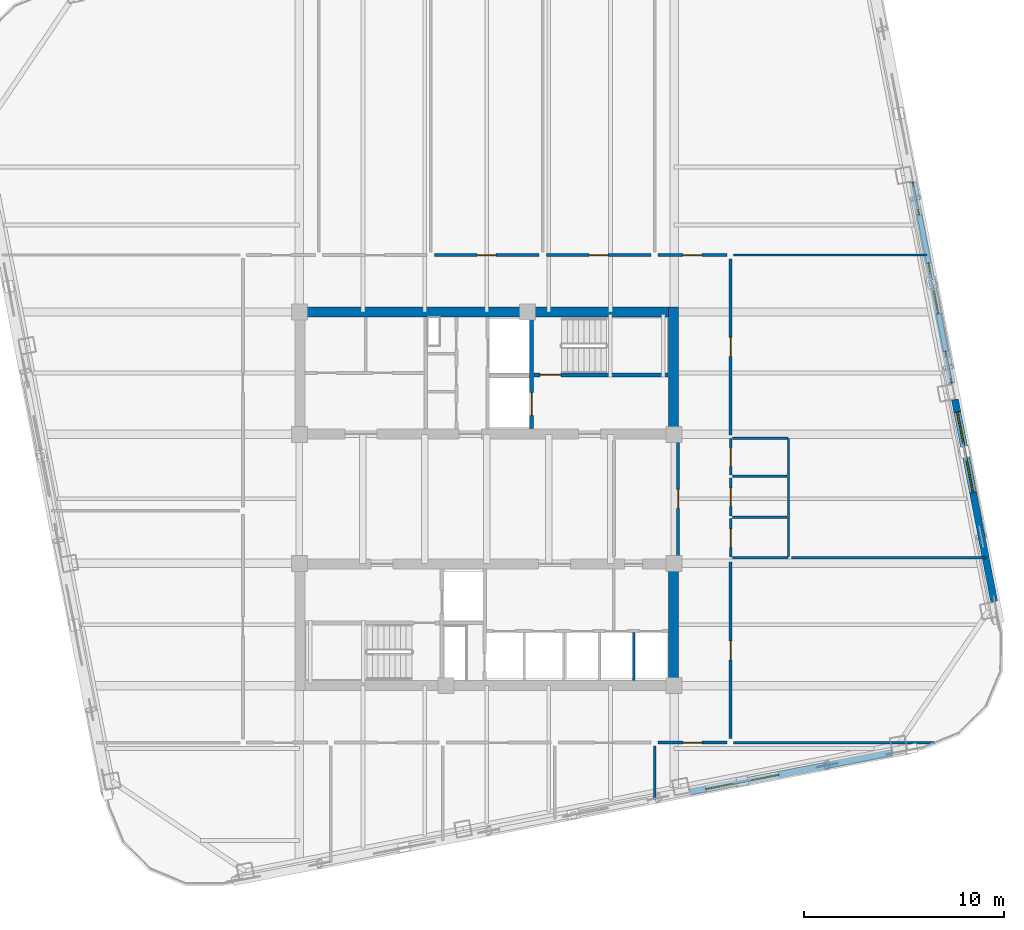
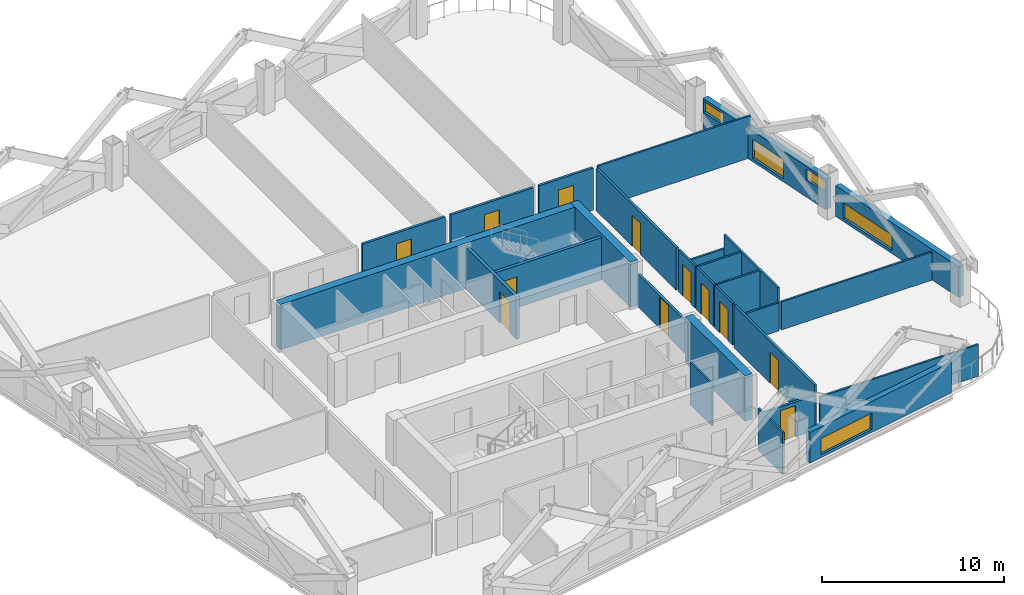
# One storey, part 6 of 10: 28 walls, 12 doors, 5 windows, 17 openings.
"""IFC4 building model written with IfcOpenShell, lengths in metres."""

from ifc_helpers import new_model, si_unit, direction, frame, frame_2d, origin, place, context, subcontext, project, spatial, rectangle, extrude, material, layer, layer_set, type_object, element, fill, save


model = new_model("IFC4")

# Units and contexts
model_context = context("Model", 3, precision=1e-05, world=origin(), true_north=direction((0.0, 1.0)))
body_context = subcontext(model_context, "Body", "Model", "MODEL_VIEW")
ifc_project = project(units=[si_unit("LENGTHUNIT", "METRE"), si_unit("AREAUNIT", "SQUARE_METRE"), si_unit("VOLUMEUNIT", "CUBIC_METRE"), si_unit("PLANEANGLEUNIT", "RADIAN"), si_unit("MASSUNIT", "GRAM", prefix="KILO")], contexts=[model_context])

# Site, building, storey
site_placement = place(None, origin())
site = spatial("IfcSite", under=ifc_project, at=site_placement, CompositionType="ELEMENT")
building_placement = place(site_placement, origin())
building = spatial("IfcBuilding", under=site, at=building_placement, Name="Qhalaya Broadcast Tower", CompositionType="ELEMENT")
storey_placement = place(building_placement, frame((0.0, 0.0, 125.0)))
storey = spatial("IfcBuildingStorey", under=building, at=storey_placement, Name="L36", CompositionType="ELEMENT", Elevation=125.0)

# Wall, opening, door
ifc_material_1 = material(Name="Gypsum Acoustic Partition")
ifc_layer_1 = layer(ifc_material_1, 0.14990234375, Name="Gypsum Acoustic Partition")
ifc_layer_set_1 = layer_set([ifc_layer_1], Name="Gypsum Acoustic Partition")
wall_type_1 = type_object("IfcWallType", Name="Corridor & Tenancy Acoustic Partition 150", PredefinedType="PARTITIONING", material=ifc_layer_set_1)
wall_1_placement = place(storey_placement, frame((9.580078125, -2.320068359375, 0.0), z_axis=(0.0, 0.0, 1.0), x_axis=(0.0, 1.0, 0.0)))
wall_1 = element("IfcWall", 1, at=wall_1_placement, inside=storey, type_object=wall_type_1, Name="L36 Partition Wall W-ICHE", PredefinedType="PARTITIONING", context=body_context, shape_type="SweptSolid", body=[
    extrude(rectangle(XDim=5.840087890625, YDim=0.14990234375, at=frame_2d((2.919921875, 0.0))), origin(), (0.0, 0.0, 1.0), 2.197998046875),
])
opening_1_placement = place(wall_1_placement, frame((2.445068359375, 0.0, 0.0)))
opening_1 = element("IfcOpeningElement", 2, at=opening_1_placement, cuts=wall_1, Name="Opening D10", PredefinedType="OPENING", context=body_context, shape_type="SweptSolid", body=[
    extrude(rectangle(XDim=0.949951171875, YDim=2.10009765625, at=frame_2d((0.47509765625, 1.050048828125))), frame((0.0, 0.0869140625, 0.0), z_axis=(0.0, -1.0, 0.0), x_axis=(1.0, 0.0, 0.0)), (0.0, 0.0, 1.0), 0.173828125),
])
ifc_material_2 = material(Name="Timber Veneer Acoustic Door", Category="wood")
door_type_1 = type_object("IfcDoorType", Name="Cellular Office & Edit Booth Door D10", OperationType="NOTDEFINED", PredefinedType="DOOR", material=ifc_material_2)
door_1_placement = place(opening_1_placement, origin())
door_1 = element("IfcDoor", 3, at=door_1_placement, inside=storey, type_object=door_type_1, Name="L36 Door D-ICHE", OperationType="SINGLE_SWING_RIGHT", OverallHeight=2.10009765625, OverallWidth=0.949951171875, PredefinedType="DOOR", context=body_context, shape_type="SweptSolid", body=[
    extrude(rectangle(XDim=0.949951171875, YDim=2.10009765625, at=frame_2d((0.47509765625, 1.050048828125))), frame((0.0, 0.02490234375, 0.0), z_axis=(0.0, -1.0, 0.0), x_axis=(1.0, 0.0, 0.0)), (0.0, 0.0, 1.0), 0.050048828125),
])
fill(opening_1, door_1)

wall_2_placement = place(storey_placement, frame((-2.6201171875, 12.800048828125, 0.0), z_axis=(0.0, 0.0, 1.0), x_axis=(1.0, 0.0, 0.0)))
wall_2 = element("IfcWall", 4, at=wall_2_placement, inside=storey, type_object=wall_type_1, Name="L36 Partition Wall W-COR-03", PredefinedType="PARTITIONING", context=body_context, shape_type="SweptSolid", body=[
    extrude(rectangle(XDim=5.240234375, YDim=0.14990234375, at=frame_2d((2.6201171875, 0.0))), origin(), (0.0, 0.0, 1.0), 2.830078125),
])
opening_2_placement = place(wall_2_placement, frame((2.14501953125, 0.0, 0.0)))
opening_2 = element("IfcOpeningElement", 5, at=opening_2_placement, cuts=wall_2, Name="Opening D10", PredefinedType="OPENING", context=body_context, shape_type="SweptSolid", body=[
    extrude(rectangle(XDim=0.949951171875, YDim=2.10009765625, at=frame_2d((0.47509765625, 1.050048828125))), frame((0.0, 0.0869140625, 0.0), z_axis=(0.0, -1.0, 0.0), x_axis=(1.0, 0.0, 0.0)), (0.0, 0.0, 1.0), 0.173828125),
])
door_2_placement = place(opening_2_placement, origin())
door_2 = element("IfcDoor", 6, at=door_2_placement, inside=storey, type_object=door_type_1, Name="L36 Door D-RM03", OperationType="SINGLE_SWING_RIGHT", OverallHeight=2.10009765625, OverallWidth=0.949951171875, PredefinedType="DOOR", context=body_context, shape_type="SweptSolid", body=[
    extrude(rectangle(XDim=0.949951171875, YDim=2.10009765625, at=frame_2d((0.47509765625, 1.050048828125))), frame((0.0, 0.02490234375, 0.0), z_axis=(0.0, -1.0, 0.0), x_axis=(1.0, 0.0, 0.0)), (0.0, 0.0, 1.0), 0.050048828125),
])
fill(opening_2, door_2)

wall_3_placement = place(storey_placement, frame((2.97998046875, 12.800048828125, 0.0), z_axis=(0.0, 0.0, 1.0), x_axis=(1.0, 0.0, 0.0)))
wall_3 = element("IfcWall", 7, at=wall_3_placement, inside=storey, type_object=wall_type_1, Name="L36 Partition Wall W-COR-04", PredefinedType="PARTITIONING", context=body_context, shape_type="SweptSolid", body=[
    extrude(rectangle(XDim=5.239990234375, YDim=0.14990234375, at=frame_2d((2.6201171875, 0.0))), origin(), (0.0, 0.0, 1.0), 2.830078125),
])
opening_3_placement = place(wall_3_placement, frame((2.14501953125, 0.0, 0.0)))
opening_3 = element("IfcOpeningElement", 8, at=opening_3_placement, cuts=wall_3, Name="Opening D10", PredefinedType="OPENING", context=body_context, shape_type="SweptSolid", body=[
    extrude(rectangle(XDim=0.949951171875, YDim=2.10009765625, at=frame_2d((0.47509765625, 1.050048828125))), frame((0.0, 0.0869140625, 0.0), z_axis=(0.0, -1.0, 0.0), x_axis=(1.0, 0.0, 0.0)), (0.0, 0.0, 1.0), 0.173828125),
])
door_3_placement = place(opening_3_placement, origin())
door_3 = element("IfcDoor", 9, at=door_3_placement, inside=storey, type_object=door_type_1, Name="L36 Door D-RM04", OperationType="SINGLE_SWING_LEFT", OverallHeight=2.10009765625, OverallWidth=0.949951171875, PredefinedType="DOOR", context=body_context, shape_type="SweptSolid", body=[
    extrude(rectangle(XDim=0.949951171875, YDim=2.10009765625, at=frame_2d((0.47509765625, 1.050048828125))), frame((0.0, 0.02490234375, 0.0), z_axis=(0.0, -1.0, 0.0), x_axis=(1.0, 0.0, 0.0)), (0.0, 0.0, 1.0), 0.050048828125),
])
fill(opening_3, door_3)

wall_4_placement = place(storey_placement, frame((8.580078125, 12.800048828125, 0.0), z_axis=(0.0, 0.0, 1.0), x_axis=(1.0, 0.0, 0.0)))
wall_4 = element("IfcWall", 10, at=wall_4_placement, inside=storey, type_object=wall_type_1, Name="L36 Partition Wall W-COR-05", PredefinedType="PARTITIONING", context=body_context, shape_type="SweptSolid", body=[
    extrude(rectangle(XDim=3.43994140625, YDim=0.14990234375, at=frame_2d((1.719970703125, 0.0))), origin(), (0.0, 0.0, 1.0), 2.830078125),
])
opening_4_placement = place(wall_4_placement, frame((1.2451171875, 0.0, 0.0)))
opening_4 = element("IfcOpeningElement", 11, at=opening_4_placement, cuts=wall_4, Name="Opening D10", PredefinedType="OPENING", context=body_context, shape_type="SweptSolid", body=[
    extrude(rectangle(XDim=0.949951171875, YDim=2.10009765625, at=frame_2d((0.47509765625, 1.050048828125))), frame((0.0, 0.0869140625, 0.0), z_axis=(0.0, -1.0, 0.0), x_axis=(1.0, 0.0, 0.0)), (0.0, 0.0, 1.0), 0.173828125),
])
door_4_placement = place(opening_4_placement, origin())
door_4 = element("IfcDoor", 12, at=door_4_placement, inside=storey, type_object=door_type_1, Name="L36 Door D-RM05", OperationType="SINGLE_SWING_RIGHT", OverallHeight=2.10009765625, OverallWidth=0.949951171875, PredefinedType="DOOR", context=body_context, shape_type="SweptSolid", body=[
    extrude(rectangle(XDim=0.949951171875, YDim=2.10009765625, at=frame_2d((0.47509765625, 1.050048828125))), frame((0.0, 0.02490234375, 0.0), z_axis=(0.0, -1.0, 0.0), x_axis=(1.0, 0.0, 0.0)), (0.0, 0.0, 1.0), 0.050048828125),
])
fill(opening_4, door_4)

wall_5_placement = place(storey_placement, frame((8.580078125, -11.60009765625, 0.0), z_axis=(0.0, 0.0, 1.0), x_axis=(1.0, 0.0, 0.0)))
wall_5 = element("IfcWall", 13, at=wall_5_placement, inside=storey, type_object=wall_type_1, Name="L36 Partition Wall W-COR-10", PredefinedType="PARTITIONING", context=body_context, shape_type="SweptSolid", body=[
    extrude(rectangle(XDim=3.43994140625, YDim=0.14990234375, at=frame_2d((1.719970703125, 0.0))), origin(), (0.0, 0.0, 1.0), 2.346923828125),
])
opening_5_placement = place(wall_5_placement, frame((1.2451171875, 0.0, 0.0)))
opening_5 = element("IfcOpeningElement", 14, at=opening_5_placement, cuts=wall_5, Name="Opening D10", PredefinedType="OPENING", context=body_context, shape_type="SweptSolid", body=[
    extrude(rectangle(XDim=0.949951171875, YDim=2.10009765625, at=frame_2d((0.47509765625, 1.050048828125))), frame((0.0, 0.0869140625, 0.0), z_axis=(0.0, -1.0, 0.0), x_axis=(1.0, 0.0, 0.0)), (0.0, 0.0, 1.0), 0.173828125),
])
door_5_placement = place(opening_5_placement, origin())
door_5 = element("IfcDoor", 15, at=door_5_placement, inside=storey, type_object=door_type_1, Name="L36 Door D-RM10", OperationType="SINGLE_SWING_LEFT", OverallHeight=2.10009765625, OverallWidth=0.949951171875, PredefinedType="DOOR", context=body_context, shape_type="SweptSolid", body=[
    extrude(rectangle(XDim=0.949951171875, YDim=2.10009765625, at=frame_2d((0.47509765625, 1.050048828125))), frame((0.0, 0.02490234375, 0.0), z_axis=(0.0, -1.0, 0.0), x_axis=(1.0, 0.0, 0.0)), (0.0, 0.0, 1.0), 0.050048828125),
])
fill(opening_5, door_5)

wall_6_placement = place(storey_placement, frame((12.199951171875, -11.39990234375, 0.0), z_axis=(0.0, 0.0, 1.0), x_axis=(0.0, 1.0, 0.0)))
wall_6 = element("IfcWall", 16, at=wall_6_placement, inside=storey, type_object=wall_type_1, Name="L36 Partition Wall W-COR-13", PredefinedType="PARTITIONING", context=body_context, shape_type="SweptSolid", body=[
    extrude(rectangle(XDim=8.83984375, YDim=0.14990234375, at=frame_2d((4.419921875, 0.0))), origin(), (0.0, 0.0, 1.0), 2.830078125),
])
opening_6_placement = place(wall_6_placement, frame((3.945068359375, 0.0, 0.0)))
opening_6 = element("IfcOpeningElement", 17, at=opening_6_placement, cuts=wall_6, Name="Opening D10", PredefinedType="OPENING", context=body_context, shape_type="SweptSolid", body=[
    extrude(rectangle(XDim=0.949951171875, YDim=2.10009765625, at=frame_2d((0.47509765625, 1.050048828125))), frame((0.0, 0.0869140625, 0.0), z_axis=(0.0, -1.0, 0.0), x_axis=(1.0, 0.0, 0.0)), (0.0, 0.0, 1.0), 0.173828125),
])
door_6_placement = place(opening_6_placement, origin())
door_6 = element("IfcDoor", 18, at=door_6_placement, inside=storey, type_object=door_type_1, Name="L36 Door D-RM13", OperationType="SINGLE_SWING_RIGHT", OverallHeight=2.10009765625, OverallWidth=0.949951171875, PredefinedType="DOOR", context=body_context, shape_type="SweptSolid", body=[
    extrude(rectangle(XDim=0.949951171875, YDim=2.10009765625, at=frame_2d((0.47509765625, 1.050048828125))), frame((0.0, 0.02490234375, 0.0), z_axis=(0.0, -1.0, 0.0), x_axis=(1.0, 0.0, 0.0)), (0.0, 0.0, 1.0), 0.050048828125),
])
fill(opening_6, door_6)

wall_7_placement = place(storey_placement, frame((12.199951171875, 3.800048828125, 0.0), z_axis=(0.0, 0.0, 1.0), x_axis=(0.0, 1.0, 0.0)))
wall_7 = element("IfcWall", 19, at=wall_7_placement, inside=storey, type_object=wall_type_1, Name="L36 Partition Wall W-COR-14", PredefinedType="PARTITIONING", context=body_context, shape_type="SweptSolid", body=[
    extrude(rectangle(XDim=8.800048828125, YDim=0.14990234375, at=frame_2d((4.39990234375, 0.0))), origin(), (0.0, 0.0, 1.0), 2.830078125),
])
opening_7_placement = place(wall_7_placement, frame((3.925048828125, 0.0, 0.0)))
opening_7 = element("IfcOpeningElement", 20, at=opening_7_placement, cuts=wall_7, Name="Opening D10", PredefinedType="OPENING", context=body_context, shape_type="SweptSolid", body=[
    extrude(rectangle(XDim=0.949951171875, YDim=2.10009765625, at=frame_2d((0.47509765625, 1.050048828125))), frame((0.0, 0.0869140625, 0.0), z_axis=(0.0, -1.0, 0.0), x_axis=(1.0, 0.0, 0.0)), (0.0, 0.0, 1.0), 0.173828125),
])
door_7_placement = place(opening_7_placement, origin())
door_7 = element("IfcDoor", 21, at=door_7_placement, inside=storey, type_object=door_type_1, Name="L36 Door D-RM14", OperationType="SINGLE_SWING_LEFT", OverallHeight=2.10009765625, OverallWidth=0.949951171875, PredefinedType="DOOR", context=body_context, shape_type="SweptSolid", body=[
    extrude(rectangle(XDim=0.949951171875, YDim=2.10009765625, at=frame_2d((0.47509765625, 1.050048828125))), frame((0.0, 0.02490234375, 0.0), z_axis=(0.0, -1.0, 0.0), x_axis=(1.0, 0.0, 0.0)), (0.0, 0.0, 1.0), 0.050048828125),
])
fill(opening_7, door_7)

# Wall, opening, window
ifc_material_3 = material(Name="Precast Concrete C40/50", Category="concrete")
ifc_layer_2 = layer(ifc_material_3, 0.360107421875, Name="Precast Concrete C40/50")
ifc_layer_set_2 = layer_set([ifc_layer_2], Name="Precast Concrete C40/50")
wall_type_2 = type_object("IfcWallType", Name="Insulated Precast Terracotta Exterior Wall 360", PredefinedType="SOLIDWALL", material=ifc_layer_set_2)
wall_8_placement = place(storey_placement, frame((20.29638671875, -12.10986328125, 0.0), z_axis=(0.0, 0.0, 1.0), x_axis=(-0.981628941133, -0.190799952646, 0.0)))
wall_8 = element("IfcWall", 22, at=wall_8_placement, inside=storey, type_object=wall_type_2, Name="L36 Exoskeleton Diagrid Infill Wall S1", PredefinedType="SOLIDWALL", context=body_context, shape_type="SweptSolid", body=[
    extrude(rectangle(XDim=10.31201171875, YDim=0.360107421875, at=frame_2d((5.156005859375, 0.0))), origin(), (0.0, 0.0, 1.0), 2.06689453125),
])
opening_8_placement = place(wall_8_placement, frame((5.800048828125, 0.0, 0.199951171875)))
opening_8 = element("IfcOpeningElement", 23, at=opening_8_placement, cuts=wall_8, Name="Opening W11", PredefinedType="OPENING", context=body_context, shape_type="SweptSolid", body=[
    extrude(rectangle(XDim=3.699951171875, YDim=1.10009765625, at=frame_2d((1.85009765625, 0.550048828125))), frame((0.0, 0.192138671875, 0.0), z_axis=(0.0, -1.0, 0.0), x_axis=(1.0, 0.0, 0.0)), (0.0, 0.0, 1.0), 0.384033203125),
])
ifc_material_4 = material(Name="Solar-Control Low-E Triple Glazing", Category="glass")
window_type = type_object("IfcWindowType", Name="Odd-Block Diagrid Infill Window W11", PartitioningType="SINGLE_PANEL", PredefinedType="WINDOW", material=ifc_material_4)
window_1_placement = place(opening_8_placement, origin())
window_1 = element("IfcWindow", 24, at=window_1_placement, inside=storey, type_object=window_type, Name="L36 Diagrid Infill Window W11-S1", OverallHeight=1.10009765625, OverallWidth=3.699951171875, PartitioningType="SINGLE_PANEL", PredefinedType="WINDOW", context=body_context, shape_type="SweptSolid", body=[
    extrude(rectangle(XDim=3.699951171875, YDim=1.10009765625, at=frame_2d((1.85009765625, 0.550048828125))), frame((0.0, 0.030029296875, 0.0), z_axis=(0.0, -1.0, 0.0), x_axis=(1.0, 0.0, 0.0)), (0.0, 0.0, 1.0), 0.06005859375),
])
fill(opening_8, window_1)

# Wall, openings, windows
wall_9_placement = place(storey_placement, frame((21.31005859375, 16.468505859375, 0.0), z_axis=(0.0, 0.0, 1.0), x_axis=(0.190811924826, -0.981626614016, 0.0)))
wall_9 = element("IfcWall", 25, at=wall_9_placement, inside=storey, type_object=wall_type_2, Name="L36 Exoskeleton Diagrid Infill Wall E2", PredefinedType="SOLIDWALL", context=body_context, shape_type="SweptSolid", body=[
    extrude(rectangle(XDim=10.2998046875, YDim=0.360107421875, at=frame_2d((5.14990234375, 0.0))), origin(), (0.0, 0.0, 1.0), 2.06689453125),
])
opening_9_placement = place(wall_9_placement, frame((0.0380859375, 0.0, 1.14990234375)))
opening_9 = element("IfcOpeningElement", 26, at=opening_9_placement, cuts=wall_9, Name="Opening W11", PredefinedType="OPENING", context=body_context, shape_type="SweptSolid", body=[
    extrude(rectangle(XDim=1.64990234375, YDim=0.75, at=frame_2d((0.824951171875, 0.375))), frame((0.0, 0.192138671875, 0.0), z_axis=(0.0, -1.0, 0.0), x_axis=(1.0, 0.0, 0.0)), (0.0, 0.0, 1.0), 0.384033203125),
])
opening_10_placement = place(wall_9_placement, frame((4.137939453125, 0.0, 0.199951171875)))
opening_10 = element("IfcOpeningElement", 27, at=opening_10_placement, cuts=wall_9, Name="Opening W11", PredefinedType="OPENING", context=body_context, shape_type="SweptSolid", body=[
    extrude(rectangle(XDim=2.60009765625, YDim=1.300048828125, at=frame_2d((1.300048828125, 0.64990234375))), frame((0.0, 0.192138671875, 0.0), z_axis=(0.0, -1.0, 0.0), x_axis=(1.0, 0.0, 0.0)), (0.0, 0.0, 1.0), 0.384033203125),
])
opening_11_placement = place(wall_9_placement, frame((8.637939453125, 0.0, 1.14990234375)))
opening_11 = element("IfcOpeningElement", 28, at=opening_11_placement, cuts=wall_9, Name="Opening W11", PredefinedType="OPENING", context=body_context, shape_type="SweptSolid", body=[
    extrude(rectangle(XDim=1.60009765625, YDim=0.75, at=frame_2d((0.800048828125, 0.375))), frame((0.0, 0.192138671875, 0.0), z_axis=(0.0, -1.0, 0.0), x_axis=(1.0, 0.0, 0.0)), (0.0, 0.0, 1.0), 0.384033203125),
])
window_2_placement = place(opening_9_placement, origin())
window_2 = element("IfcWindow", 29, at=window_2_placement, inside=storey, type_object=window_type, Name="L36 Diagrid Infill Window W11-E2", OverallHeight=0.75, OverallWidth=1.64990234375, PartitioningType="SINGLE_PANEL", PredefinedType="WINDOW", context=body_context, shape_type="SweptSolid", body=[
    extrude(rectangle(XDim=1.64990234375, YDim=0.75, at=frame_2d((0.824951171875, 0.375))), frame((0.0, 0.030029296875, 0.0), z_axis=(0.0, -1.0, 0.0), x_axis=(1.0, 0.0, 0.0)), (0.0, 0.0, 1.0), 0.06005859375),
])
fill(opening_9, window_2)
window_3_placement = place(opening_10_placement, origin())
window_3 = element("IfcWindow", 30, at=window_3_placement, inside=storey, type_object=window_type, Name="L36 Diagrid Infill Window W11-E3", OverallHeight=1.300048828125, OverallWidth=2.60009765625, PartitioningType="SINGLE_PANEL", PredefinedType="WINDOW", context=body_context, shape_type="SweptSolid", body=[
    extrude(rectangle(XDim=2.60009765625, YDim=1.300048828125, at=frame_2d((1.300048828125, 0.64990234375))), frame((0.0, 0.030029296875, 0.0), z_axis=(0.0, -1.0, 0.0), x_axis=(1.0, 0.0, 0.0)), (0.0, 0.0, 1.0), 0.06005859375),
])
fill(opening_10, window_3)
window_4_placement = place(opening_11_placement, origin())
window_4 = element("IfcWindow", 31, at=window_4_placement, inside=storey, type_object=window_type, Name="L36 Diagrid Infill Window W11-E4", OverallHeight=0.75, OverallWidth=1.60009765625, PartitioningType="SINGLE_PANEL", PredefinedType="WINDOW", context=body_context, shape_type="SweptSolid", body=[
    extrude(rectangle(XDim=1.60009765625, YDim=0.75, at=frame_2d((0.800048828125, 0.375))), frame((0.0, 0.030029296875, 0.0), z_axis=(0.0, -1.0, 0.0), x_axis=(1.0, 0.0, 0.0)), (0.0, 0.0, 1.0), 0.06005859375),
])
fill(opening_11, window_4)

# Wall, opening, window
wall_10_placement = place(storey_placement, frame((23.427978515625, 5.572509765625, 0.0), z_axis=(0.0, 0.0, 1.0), x_axis=(0.190827200853, -0.981623644486, 0.0)))
wall_10 = element("IfcWall", 32, at=wall_10_placement, inside=storey, type_object=wall_type_2, Name="L36 Exoskeleton Diagrid Infill Wall E3", PredefinedType="SOLIDWALL", context=body_context, shape_type="SweptSolid", body=[
    extrude(rectangle(XDim=10.311767578125, YDim=0.360107421875, at=frame_2d((5.15576171875, 0.0))), origin(), (0.0, 0.0, 1.0), 2.06689453125),
])
opening_12_placement = place(wall_10_placement, frame((0.637939453125, 0.0, 0.199951171875)))
opening_12 = element("IfcOpeningElement", 33, at=opening_12_placement, cuts=wall_10, Name="Opening W11", PredefinedType="OPENING", context=body_context, shape_type="SweptSolid", body=[
    extrude(rectangle(XDim=4.10009765625, YDim=1.050048828125, at=frame_2d((2.050048828125, 0.52490234375))), frame((0.0, 0.192138671875, 0.0), z_axis=(0.0, -1.0, 0.0), x_axis=(1.0, 0.0, 0.0)), (0.0, 0.0, 1.0), 0.384033203125),
])
window_5_placement = place(opening_12_placement, origin())
window_5 = element("IfcWindow", 34, at=window_5_placement, inside=storey, type_object=window_type, Name="L36 Diagrid Infill Window W11-E5", OverallHeight=1.050048828125, OverallWidth=4.10009765625, PartitioningType="SINGLE_PANEL", PredefinedType="WINDOW", context=body_context, shape_type="SweptSolid", body=[
    extrude(rectangle(XDim=4.10009765625, YDim=1.050048828125, at=frame_2d((2.050048828125, 0.52490234375))), frame((0.0, 0.030029296875, 0.0), z_axis=(0.0, -1.0, 0.0), x_axis=(1.0, 0.0, 0.0)), (0.0, 0.0, 1.0), 0.06005859375),
])
fill(opening_12, window_5)

# Wall, opening, door
ifc_material_5 = material(Name="Concrete C50/60", Category="concrete")
ifc_layer_3 = layer(ifc_material_5, 0.199951171875, Name="Concrete C50/60")
ifc_layer_set_3 = layer_set([ifc_layer_3], Name="Concrete C50/60")
wall_type_3 = type_object("IfcWallType", Name="Load-Bearing Stair Shaft Wall 200", PredefinedType="SHEAR", material=ifc_layer_set_3)
wall_11_placement = place(storey_placement, frame((2.360107421875, 6.804931640625, 0.0), z_axis=(0.0, 0.0, 1.0), x_axis=(1.0, 0.0, 0.0)))
wall_11 = element("IfcWall", 35, at=wall_11_placement, inside=storey, type_object=wall_type_3, Name="L36 Stair Core Shear Wall NCW-ST1", PredefinedType="SHEAR", context=body_context, shape_type="SweptSolid", body=[
    extrude(rectangle(XDim=6.719970703125, YDim=0.199951171875, at=frame_2d((3.35986328125, 0.0))), origin(), (0.0, 0.0, 1.0), 2.830078125),
])
opening_13_placement = place(wall_11_placement, frame((0.300048828125, 0.0, 0.0)))
opening_13 = element("IfcOpeningElement", 36, at=opening_13_placement, cuts=wall_11, Name="Opening D03", PredefinedType="OPENING", context=body_context, shape_type="SweptSolid", body=[
    extrude(rectangle(XDim=1.050048828125, YDim=2.080078125, at=frame_2d((0.52490234375, 1.0400390625))), frame((0.0, 0.112060546875, 0.0), z_axis=(0.0, -1.0, 0.0), x_axis=(1.0, 0.0, 0.0)), (0.0, 0.0, 1.0), 0.223876953125),
])
ifc_material_6 = material(Name="Fire-Rated Steel Door", Category="steel")
door_type_2 = type_object("IfcDoorType", Name="Core Stair Protected Fire Door D03", OperationType="NOTDEFINED", PredefinedType="DOOR", material=ifc_material_6)
door_8_placement = place(opening_13_placement, origin())
door_8 = element("IfcDoor", 37, at=door_8_placement, inside=storey, type_object=door_type_2, Name="L36 Door D-NST1", OperationType="SINGLE_SWING_LEFT", OverallHeight=2.080078125, OverallWidth=1.050048828125, PredefinedType="DOOR", context=body_context, shape_type="SweptSolid", body=[
    extrude(rectangle(XDim=1.050048828125, YDim=2.080078125, at=frame_2d((0.52490234375, 1.0400390625))), frame((0.0, 0.02490234375, 0.0), z_axis=(0.0, -1.0, 0.0), x_axis=(1.0, 0.0, 0.0)), (0.0, 0.0, 1.0), 0.050048828125),
])
fill(opening_13, door_8)

wall_12_placement = place(storey_placement, frame((2.25, 4.1201171875, 0.0), z_axis=(0.0, 0.0, 1.0), x_axis=(0.0, 1.0, 0.0)))
wall_12 = element("IfcWall", 38, at=wall_12_placement, inside=storey, type_object=wall_type_3, Name="L36 Stair Core Shear Wall NCW-FF", PredefinedType="SHEAR", context=body_context, shape_type="SweptSolid", body=[
    extrude(rectangle(XDim=5.559814453125, YDim=0.199951171875, at=frame_2d((2.77978515625, 0.0))), origin(), (0.0, 0.0, 1.0), 2.830078125),
])
opening_14_placement = place(wall_12_placement, frame((0.64990234375, 0.0, 0.0)))
opening_14 = element("IfcOpeningElement", 39, at=opening_14_placement, cuts=wall_12, Name="Opening LD2", PredefinedType="OPENING", context=body_context, shape_type="SweptSolid", body=[
    extrude(rectangle(XDim=1.14990234375, YDim=2.080078125, at=frame_2d((0.574951171875, 1.0400390625))), frame((0.0, 0.112060546875, 0.0), z_axis=(0.0, -1.0, 0.0), x_axis=(1.0, 0.0, 0.0)), (0.0, 0.0, 1.0), 0.223876953125),
])
ifc_material_7 = material(Name="Brushed Stainless Steel Lift Door", Category="steel")
door_type_3 = type_object("IfcDoorType", Name="Firefighting Lift Sliding Landing Door LD2", OperationType="DOUBLE_DOOR_SLIDING", PredefinedType="DOOR", material=ifc_material_7)
door_9_placement = place(opening_14_placement, origin())
door_9 = element("IfcDoor", 40, at=door_9_placement, inside=storey, type_object=door_type_3, Name="L36 Door LD-FF1", OperationType="DOUBLE_DOOR_SLIDING", OverallHeight=2.080078125, OverallWidth=1.14990234375, PredefinedType="DOOR", context=body_context, shape_type="SweptSolid", body=[
    extrude(rectangle(XDim=1.14990234375, YDim=2.080078125, at=frame_2d((0.574951171875, 1.0400390625))), frame((0.0, 0.02490234375, 0.0), z_axis=(0.0, -1.0, 0.0), x_axis=(1.0, 0.0, 0.0)), (0.0, 0.0, 1.0), 0.050048828125),
])
fill(opening_14, door_9)

# Walls
ifc_layer_4 = layer(ifc_material_5, 0.5, Name="Concrete C50/60")
ifc_layer_set_4 = layer_set([ifc_layer_4], Name="Concrete C50/60")
wall_type_4 = type_object("IfcWallType", Name="Mid Split-Core Shear Wall 500", PredefinedType="SHEAR", material=ifc_layer_set_4)
wall_13_placement = place(storey_placement, frame((-9.60009765625, 9.949951171875, 0.0), z_axis=(0.0, 0.0, 1.0), x_axis=(1.0, 0.0, 0.0)))
element("IfcWall", 41, at=wall_13_placement, inside=storey, type_object=wall_type_4, Name="L36 Split-Core Shear Wall CW-NN", PredefinedType="SHEAR", context=body_context, shape_type="SweptSolid", body=[
    extrude(rectangle(XDim=19.2001953125, YDim=0.5, at=frame_2d((9.60009765625, 0.0))), origin(), (0.0, 0.0, 1.0), 3.050048828125),
])
wall_14_placement = place(storey_placement, frame((9.35009765625, 3.60009765625, 0.0), z_axis=(0.0, 0.0, 1.0), x_axis=(0.0, 1.0, 0.0)))
element("IfcWall", 42, at=wall_14_placement, inside=storey, type_object=wall_type_4, Name="L36 Split-Core Shear Wall CW-NE", PredefinedType="SHEAR", context=body_context, shape_type="SweptSolid", body=[
    extrude(rectangle(XDim=6.599853515625, YDim=0.5, at=frame_2d((3.2998046875, 0.0))), origin(), (0.0, 0.0, 1.0), 3.050048828125),
])
wall_15_placement = place(storey_placement, frame((9.35009765625, -9.0, 0.0), z_axis=(0.0, 0.0, 1.0), x_axis=(0.0, 1.0, 0.0)))
element("IfcWall", 43, at=wall_15_placement, inside=storey, type_object=wall_type_4, Name="L36 Split-Core Shear Wall CW-SE", PredefinedType="SHEAR", context=body_context, shape_type="SweptSolid", body=[
    extrude(rectangle(XDim=6.60009765625, YDim=0.5, at=frame_2d((3.300048828125, 0.0))), origin(), (0.0, 0.0, 1.0), 3.050048828125),
])
ifc_layer_5 = layer(ifc_material_1, 0.1201171875, Name="Gypsum Acoustic Partition")
ifc_layer_set_5 = layer_set([ifc_layer_5], Name="Gypsum Acoustic Partition")
wall_type_5 = type_object("IfcWallType", Name="Office, Booth & Sanitary Partition 120", PredefinedType="PARTITIONING", material=ifc_layer_set_5)
wall_16_placement = place(storey_placement, frame((7.360107421875, -8.47998046875, 0.0), z_axis=(0.0, 0.0, 1.0), x_axis=(0.0, 1.0, 0.0)))
element("IfcWall", 44, at=wall_16_placement, inside=storey, type_object=wall_type_5, Name="L36 Partition Wall SCW-HD7", PredefinedType="PARTITIONING", context=body_context, shape_type="SweptSolid", body=[
    extrude(rectangle(XDim=2.3798828125, YDim=0.1201171875, at=frame_2d((1.18994140625, 0.0))), origin(), (0.0, 0.0, 1.0), 2.830078125),
])

# Wall, opening, door
wall_17_placement = place(storey_placement, frame((12.219970703125, -2.320068359375, 0.0), z_axis=(0.0, 0.0, 1.0), x_axis=(0.0, 1.0, 0.0)))
wall_17 = element("IfcWall", 45, at=wall_17_placement, inside=storey, type_object=wall_type_5, Name="L36 Partition Wall W-WCWA", PredefinedType="PARTITIONING", context=body_context, shape_type="SweptSolid", body=[
    extrude(rectangle(XDim=1.940185546875, YDim=0.1201171875, at=frame_2d((0.97021484375, 0.0))), origin(), (0.0, 0.0, 1.0), 2.830078125),
])
opening_15_placement = place(wall_17_placement, frame((0.4951171875, 0.0, 0.0)))
opening_15 = element("IfcOpeningElement", 46, at=opening_15_placement, cuts=wall_17, Name="Opening D12", PredefinedType="OPENING", context=body_context, shape_type="SweptSolid", body=[
    extrude(rectangle(XDim=0.919921875, YDim=2.10009765625, at=frame_2d((0.4599609375, 1.050048828125))), frame((0.0, 0.072021484375, 0.0), z_axis=(0.0, -1.0, 0.0), x_axis=(1.0, 0.0, 0.0)), (0.0, 0.0, 1.0), 0.14404296875),
])
door_type_4 = type_object("IfcDoorType", Name="Accessible WC & Restroom Door D12", OperationType="NOTDEFINED", PredefinedType="DOOR", material=ifc_material_2)
door_10_placement = place(opening_15_placement, origin())
door_10 = element("IfcDoor", 47, at=door_10_placement, inside=storey, type_object=door_type_4, Name="L36 Door D-WCA", OperationType="SINGLE_SWING_LEFT", OverallHeight=2.10009765625, OverallWidth=0.919921875, PredefinedType="DOOR", context=body_context, shape_type="SweptSolid", body=[
    extrude(rectangle(XDim=0.919921875, YDim=2.10009765625, at=frame_2d((0.4599609375, 1.050048828125))), frame((0.0, 0.02490234375, 0.0), z_axis=(0.0, -1.0, 0.0), x_axis=(1.0, 0.0, 0.0)), (0.0, 0.0, 1.0), 0.050048828125),
])
fill(opening_15, door_10)

wall_18_placement = place(storey_placement, frame((12.219970703125, -0.25, 0.0), z_axis=(0.0, 0.0, 1.0), x_axis=(0.0, 1.0, 0.0)))
wall_18 = element("IfcWall", 48, at=wall_18_placement, inside=storey, type_object=wall_type_5, Name="L36 Partition Wall W-WCWM", PredefinedType="PARTITIONING", context=body_context, shape_type="SweptSolid", body=[
    extrude(rectangle(XDim=1.89990234375, YDim=0.1201171875, at=frame_2d((0.949951171875, 0.0))), origin(), (0.0, 0.0, 1.0), 2.830078125),
])
opening_16_placement = place(wall_18_placement, frame((0.47509765625, 0.0, 0.0)))
opening_16 = element("IfcOpeningElement", 49, at=opening_16_placement, cuts=wall_18, Name="Opening D12", PredefinedType="OPENING", context=body_context, shape_type="SweptSolid", body=[
    extrude(rectangle(XDim=0.919921875, YDim=2.10009765625, at=frame_2d((0.4599609375, 1.050048828125))), frame((0.0, 0.072021484375, 0.0), z_axis=(0.0, -1.0, 0.0), x_axis=(1.0, 0.0, 0.0)), (0.0, 0.0, 1.0), 0.14404296875),
])
door_11_placement = place(opening_16_placement, origin())
door_11 = element("IfcDoor", 50, at=door_11_placement, inside=storey, type_object=door_type_4, Name="L36 Door D-WCM", OperationType="SINGLE_SWING_RIGHT", OverallHeight=2.10009765625, OverallWidth=0.919921875, PredefinedType="DOOR", context=body_context, shape_type="SweptSolid", body=[
    extrude(rectangle(XDim=0.919921875, YDim=2.10009765625, at=frame_2d((0.4599609375, 1.050048828125))), frame((0.0, 0.02490234375, 0.0), z_axis=(0.0, -1.0, 0.0), x_axis=(1.0, 0.0, 0.0)), (0.0, 0.0, 1.0), 0.050048828125),
])
fill(opening_16, door_11)

wall_19_placement = place(storey_placement, frame((12.219970703125, 1.780029296875, 0.0), z_axis=(0.0, 0.0, 1.0), x_axis=(0.0, 1.0, 0.0)))
wall_19 = element("IfcWall", 51, at=wall_19_placement, inside=storey, type_object=wall_type_5, Name="L36 Partition Wall W-WCWF", PredefinedType="PARTITIONING", context=body_context, shape_type="SweptSolid", body=[
    extrude(rectangle(XDim=1.830078125, YDim=0.1201171875, at=frame_2d((0.9150390625, 0.0))), origin(), (0.0, 0.0, 1.0), 2.830078125),
])
opening_17_placement = place(wall_19_placement, frame((0.43994140625, 0.0, 0.0)))
opening_17 = element("IfcOpeningElement", 52, at=opening_17_placement, cuts=wall_19, Name="Opening D12", PredefinedType="OPENING", context=body_context, shape_type="SweptSolid", body=[
    extrude(rectangle(XDim=0.919921875, YDim=2.10009765625, at=frame_2d((0.4599609375, 1.050048828125))), frame((0.0, 0.072021484375, 0.0), z_axis=(0.0, -1.0, 0.0), x_axis=(1.0, 0.0, 0.0)), (0.0, 0.0, 1.0), 0.14404296875),
])
door_12_placement = place(opening_17_placement, origin())
door_12 = element("IfcDoor", 53, at=door_12_placement, inside=storey, type_object=door_type_4, Name="L36 Door D-WCF", OperationType="SINGLE_SWING_LEFT", OverallHeight=2.10009765625, OverallWidth=0.919921875, PredefinedType="DOOR", context=body_context, shape_type="SweptSolid", body=[
    extrude(rectangle(XDim=0.919921875, YDim=2.10009765625, at=frame_2d((0.4599609375, 1.050048828125))), frame((0.0, 0.02490234375, 0.0), z_axis=(0.0, -1.0, 0.0), x_axis=(1.0, 0.0, 0.0)), (0.0, 0.0, 1.0), 0.050048828125),
])
fill(opening_17, door_12)

# Walls
wall_20_placement = place(storey_placement, frame((15.10009765625, -2.320068359375, 0.0), z_axis=(0.0, 0.0, 1.0), x_axis=(0.0, 1.0, 0.0)))
element("IfcWall", 54, at=wall_20_placement, inside=storey, type_object=wall_type_5, Name="L36 Partition Wall W-WCE", PredefinedType="PARTITIONING", context=body_context, shape_type="SweptSolid", body=[
    extrude(rectangle(XDim=5.93017578125, YDim=0.1201171875, at=frame_2d((2.965087890625, 0.0))), origin(), (0.0, 0.0, 1.0), 2.830078125),
])
for number, where, z_axis, x_axis, name in (
    (55, (12.31005859375, -2.35009765625, 0.0), (0.0, 0.0, 1.0), (1.0, 0.0, 0.0), "L36 Partition Wall W-WCS"),
    (56, (12.31005859375, 3.639892578125, 0.0), (0.0, 0.0, 1.0), (1.0, 0.0, 0.0), "L36 Partition Wall W-WCN"),
):
    element("IfcWall", number, at=place(storey_placement, frame(where, z_axis=z_axis, x_axis=x_axis)), inside=storey, type_object=wall_type_5, Name=name, PredefinedType="PARTITIONING", context=body_context, shape_type="SweptSolid", body=[
        extrude(rectangle(XDim=2.760009765625, YDim=0.1201171875, at=frame_2d((1.3798828125, 0.0))), origin(), (0.0, 0.0, 1.0), 1.883056640625),
    ])
for number, where, z_axis, x_axis, name in (
    (57, (12.31005859375, -0.320068359375, 0.0), (0.0, 0.0, 1.0), (1.0, 0.0, 0.0), "L36 Partition Wall W-WCD1"),
    (58, (12.31005859375, 1.719970703125, 0.0), (0.0, 0.0, 1.0), (1.0, 0.0, 0.0), "L36 Partition Wall W-WCD2"),
):
    element("IfcWall", number, at=place(storey_placement, frame(where, z_axis=z_axis, x_axis=x_axis)), inside=storey, type_object=wall_type_5, Name=name, PredefinedType="PARTITIONING", context=body_context, shape_type="SweptSolid", body=[
        extrude(rectangle(XDim=2.719970703125, YDim=0.1201171875, at=frame_2d((1.35986328125, 0.0))), origin(), (0.0, 0.0, 1.0), 2.830078125),
    ])
wall_21_placement = place(storey_placement, frame((12.340087890625, 12.800048828125, 0.0), z_axis=(0.0, 0.0, 1.0), x_axis=(1.0, 0.0, 0.0)))
element("IfcWall", 59, at=wall_21_placement, inside=storey, type_object=wall_type_5, Name="L36 Partition Wall W-BNDE1", PredefinedType="PARTITIONING", context=body_context, shape_type="SweptSolid", body=[
    extrude(rectangle(XDim=9.703369140625, YDim=0.1201171875, at=frame_2d((4.8515625, 0.0))), origin(), (0.0, 0.0, 1.0), 2.830078125),
])
wall_22_placement = place(storey_placement, frame((12.340087890625, -11.60009765625, 0.0), z_axis=(0.0, 0.0, 1.0), x_axis=(1.0, 0.0, 0.0)))
element("IfcWall", 60, at=wall_22_placement, inside=storey, type_object=wall_type_5, Name="L36 Partition Wall W-BNDE2", PredefinedType="PARTITIONING", context=body_context, shape_type="SweptSolid", body=[
    extrude(rectangle(XDim=10.06640625, YDim=0.1201171875, at=frame_2d((5.033203125, 0.0))), origin(), (0.0, 0.0, 1.0), 2.126953125),
])
wall_23_placement = place(storey_placement, frame((8.39990234375, -14.442626953125, 0.0), z_axis=(0.0, 0.0, 1.0), x_axis=(0.0, 1.0, 0.0)))
element("IfcWall", 61, at=wall_23_placement, inside=storey, type_object=wall_type_5, Name="L36 Partition Wall W-DIVS4", PredefinedType="PARTITIONING", context=body_context, shape_type="SweptSolid", body=[
    extrude(rectangle(XDim=2.6826171875, YDim=0.1201171875, at=frame_2d((1.34130859375, 0.0))), origin(), (0.0, 0.0, 1.0), 2.830078125),
])
wall_24_placement = place(storey_placement, frame((15.239990234375, -2.35009765625, 0.0), z_axis=(0.0, 0.0, 1.0), x_axis=(1.0, 0.0, 0.0)))
element("IfcWall", 62, at=wall_24_placement, inside=storey, type_object=wall_type_5, Name="L36 Partition Wall W-DIVE-WC", PredefinedType="PARTITIONING", context=body_context, shape_type="SweptSolid", body=[
    extrude(rectangle(XDim=9.748291015625, YDim=0.1201171875, at=frame_2d((4.8740234375, 0.0))), origin(), (0.0, 0.0, 1.0), 1.883056640625),
])

save(model, "model.ifc")
